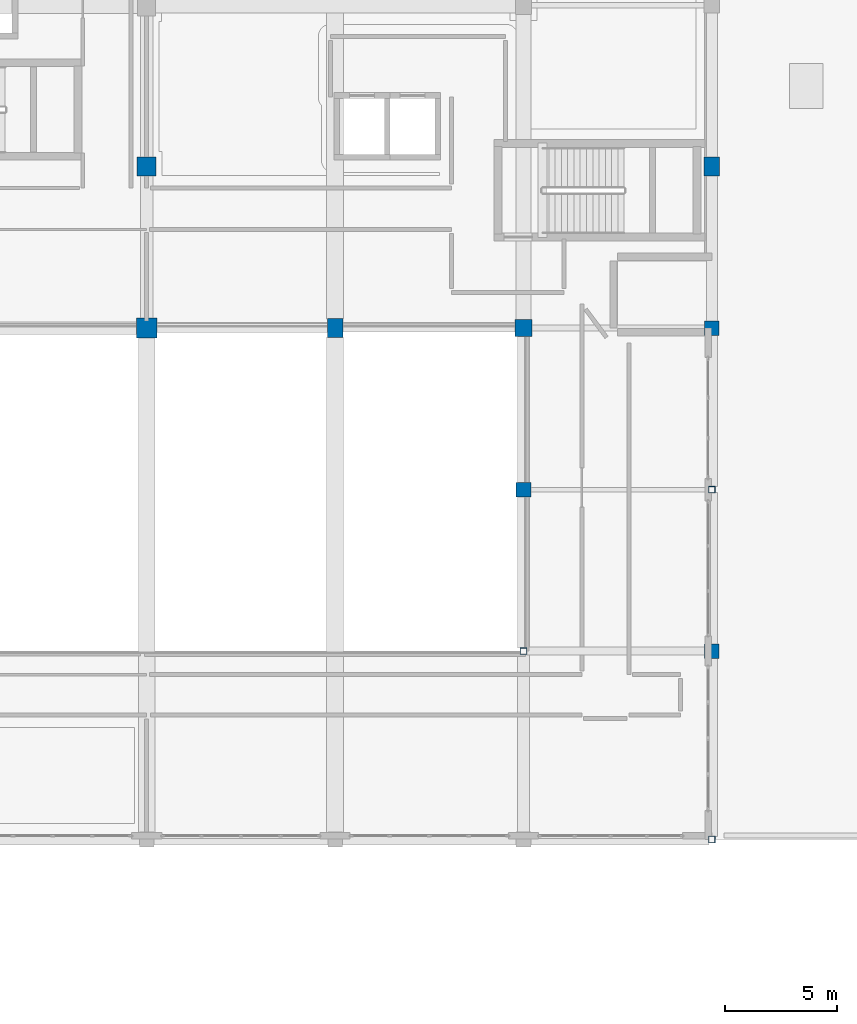
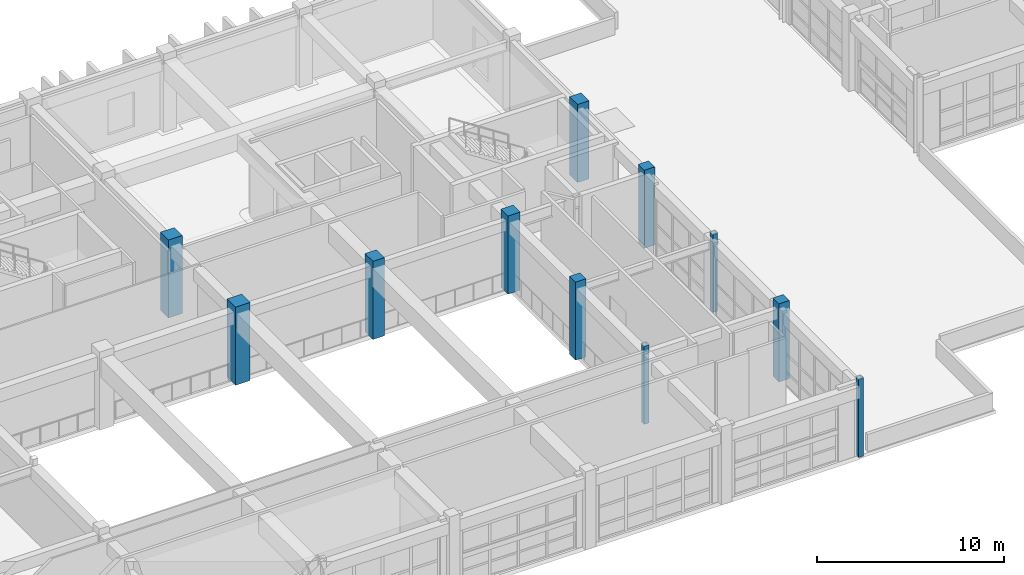
# One storey, part 8 of 78: 11 columns.
"""IFC4 building model written with IfcOpenShell, lengths in metres."""

from ifc_helpers import new_model, si_unit, direction, frame, origin, origin_2d, place, context, subcontext, project, spatial, rectangle, hollow_rectangle, extrude, material, material_profile, profile_set, type_object, element, save


model = new_model("IFC4")

# Units and contexts
model_context = context("Model", 3, precision=1e-05, world=origin(), true_north=direction((0.0, 1.0)))
body_context = subcontext(model_context, "Body", "Model", "MODEL_VIEW")
ifc_project = project(units=[si_unit("LENGTHUNIT", "METRE"), si_unit("AREAUNIT", "SQUARE_METRE"), si_unit("VOLUMEUNIT", "CUBIC_METRE"), si_unit("PLANEANGLEUNIT", "RADIAN"), si_unit("MASSUNIT", "GRAM", prefix="KILO")], contexts=[model_context])

# Site, building, storey
site_placement = place(None, origin())
site = spatial("IfcSite", under=ifc_project, at=site_placement, CompositionType="ELEMENT")
building_placement = place(site_placement, origin())
building = spatial("IfcBuilding", under=site, at=building_placement, Name="Quendrovan Civic Courthouse", CompositionType="ELEMENT")
storey_placement = place(building_placement, frame((0.0, 0.0, 10.199951171875)))
storey = spatial("IfcBuildingStorey", under=building, at=storey_placement, Name="L03", CompositionType="ELEMENT", Elevation=10.199951171875)

# Columns
ifc_material_1 = material(Name="Concrete C40/50", Category="concrete")
ifc_material_profile_1 = material_profile(ifc_material_1, rectangle(XDim=0.699951171875, YDim=0.85009765625, at=origin_2d()), Name="RC-COL-700x850")
ifc_profile_set_1 = profile_set([ifc_material_profile_1], Name="Concrete C40/50")
column_type_1 = type_object("IfcColumnType", Name="COL-RC-700x850", PredefinedType="COLUMN", material=ifc_profile_set_1)
for number, where, z_axis, x_axis, name in (
    (1, (75.60009765625, 87.60009765625, 0.0), (0.0, 0.0, 1.0), (1.0, 0.0, 0.0), "L03 Column 10-M"),
    (2, (92.39990234375, 94.800048828125, 0.0), (0.0, 0.0, 1.0), (1.0, 0.0, 0.0), "L03 Column 12-N"),
):
    element("IfcColumn", number, at=place(storey_placement, frame(where, z_axis=z_axis, x_axis=x_axis)), inside=storey, type_object=column_type_1, Name=name, PredefinedType="COLUMN", context=body_context, shape_type="SweptSolid", body=[
        extrude(rectangle(XDim=0.699951171875, YDim=0.85009765625, at=origin_2d()), origin(), (0.0, 0.0, 1.0), 5.10009765625),
    ])
ifc_material_2 = material(Name="Concrete C45/55", Category="concrete")
ifc_material_profile_2 = material_profile(ifc_material_2, rectangle(XDim=0.64990234375, YDim=0.64990234375, at=origin_2d()), Name="RC-COL-650x650")
ifc_profile_set_2 = profile_set([ifc_material_profile_2], Name="Concrete C45/55")
column_type_2 = type_object("IfcColumnType", Name="COL-RC650", PredefinedType="COLUMN", material=ifc_profile_set_2)
for number, where, z_axis, x_axis, name in (
    (3, (84.0, 80.39990234375, 0.0), (0.0, 0.0, 1.0), (1.0, 0.0, 0.0), "L03 Column 11-L"),
    (4, (92.39990234375, 73.199951171875, 0.0), (0.0, 0.0, 1.0), (1.0, 0.0, 0.0), "L03 Column 12-K"),
    (5, (92.39990234375, 87.60009765625, 0.0), (0.0, 0.0, 1.0), (1.0, 0.0, 0.0), "L03 Column 12-M"),
):
    element("IfcColumn", number, at=place(storey_placement, frame(where, z_axis=z_axis, x_axis=x_axis)), inside=storey, type_object=column_type_2, Name=name, PredefinedType="COLUMN", context=body_context, shape_type="SweptSolid", body=[
        extrude(rectangle(XDim=0.64990234375, YDim=0.64990234375, at=origin_2d()), origin(), (0.0, 0.0, 1.0), 5.10009765625),
    ])
ifc_material_profile_3 = material_profile(ifc_material_2, rectangle(XDim=0.75, YDim=0.75, at=origin_2d()), Name="RC-COL-750x750")
ifc_profile_set_3 = profile_set([ifc_material_profile_3], Name="Concrete C45/55")
column_type_3 = type_object("IfcColumnType", Name="COL-RC750", PredefinedType="COLUMN", material=ifc_profile_set_3)
column_1_placement = place(storey_placement, frame((84.0, 87.60009765625, 0.0), z_axis=(0.0, 0.0, 1.0), x_axis=(1.0, 0.0, 0.0)))
element("IfcColumn", 6, at=column_1_placement, inside=storey, type_object=column_type_3, Name="L03 Column 11-M", PredefinedType="COLUMN", context=body_context, shape_type="SweptSolid", body=[
    extrude(rectangle(XDim=0.75, YDim=0.75, at=origin_2d()), origin(), (0.0, 0.0, 1.0), 5.10009765625),
])
ifc_material_profile_4 = material_profile(ifc_material_2, rectangle(XDim=0.85009765625, YDim=0.85009765625, at=origin_2d()), Name="RC-COL-850x850")
ifc_profile_set_4 = profile_set([ifc_material_profile_4], Name="Concrete C45/55")
column_type_4 = type_object("IfcColumnType", Name="COL-RC850", PredefinedType="COLUMN", material=ifc_profile_set_4)
column_2_placement = place(storey_placement, frame((67.199951171875, 94.800048828125, 0.0), z_axis=(0.0, 0.0, 1.0), x_axis=(1.0, 0.0, 0.0)))
element("IfcColumn", 7, at=column_2_placement, inside=storey, type_object=column_type_4, Name="L03 Column 9-N", PredefinedType="COLUMN", context=body_context, shape_type="SweptSolid", body=[
    extrude(rectangle(XDim=0.85009765625, YDim=0.85009765625, at=origin_2d()), origin(), (0.0, 0.0, 1.0), 5.10009765625),
])
ifc_material_profile_5 = material_profile(ifc_material_2, rectangle(XDim=0.89990234375, YDim=0.89990234375, at=origin_2d()), Name="RC-COL-900x900")
ifc_profile_set_5 = profile_set([ifc_material_profile_5], Name="Concrete C45/55")
column_type_5 = type_object("IfcColumnType", Name="COL-RC900", PredefinedType="COLUMN", material=ifc_profile_set_5)
column_3_placement = place(storey_placement, frame((67.199951171875, 87.60009765625, 0.0), z_axis=(0.0, 0.0, 1.0), x_axis=(1.0, 0.0, 0.0)))
element("IfcColumn", 8, at=column_3_placement, inside=storey, type_object=column_type_5, Name="L03 Column 9-M", PredefinedType="COLUMN", context=body_context, shape_type="SweptSolid", body=[
    extrude(rectangle(XDim=0.89990234375, YDim=0.89990234375, at=origin_2d()), origin(), (0.0, 0.0, 1.0), 5.10009765625),
])
ifc_material_3 = material(Name="Steel ASTM A500 Grade C", Category="steel")
ifc_material_profile_6 = material_profile(ifc_material_3, hollow_rectangle(XDim=0.300048828125, YDim=0.300048828125, WallThickness=0.011962890625, at=origin_2d()), Name="HSS300x300x12")
ifc_profile_set_6 = profile_set([ifc_material_profile_6], Name="Steel ASTM A500 Grade C")
column_type_6 = type_object("IfcColumnType", Name="COL-STL-HSS300S", PredefinedType="COLUMN", material=ifc_profile_set_6)
for number, where, z_axis, x_axis, name in (
    (9, (84.0, 73.199951171875, 0.0), (0.0, 0.0, 1.0), (1.0, 0.0, 0.0), "L03 Column 11-K"),
    (10, (92.39990234375, 64.800048828125, 0.0), (0.0, 0.0, 1.0), (1.0, 0.0, 0.0), "L03 Column 12-J"),
    (11, (92.39990234375, 80.39990234375, 0.0), (0.0, 0.0, 1.0), (1.0, 0.0, 0.0), "L03 Column 12-L"),
):
    element("IfcColumn", number, at=place(storey_placement, frame(where, z_axis=z_axis, x_axis=x_axis)), inside=storey, type_object=column_type_6, Name=name, PredefinedType="COLUMN", context=body_context, shape_type="SweptSolid", body=[
        extrude(hollow_rectangle(XDim=0.300048828125, YDim=0.300048828125, WallThickness=0.011962890625, at=origin_2d()), origin(), (0.0, 0.0, 1.0), 5.10009765625),
    ])

save(model, "model.ifc")
